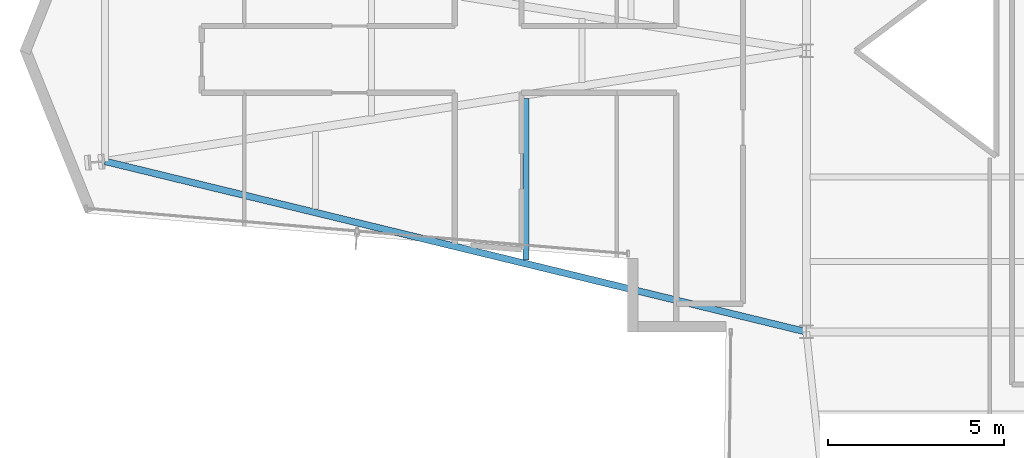
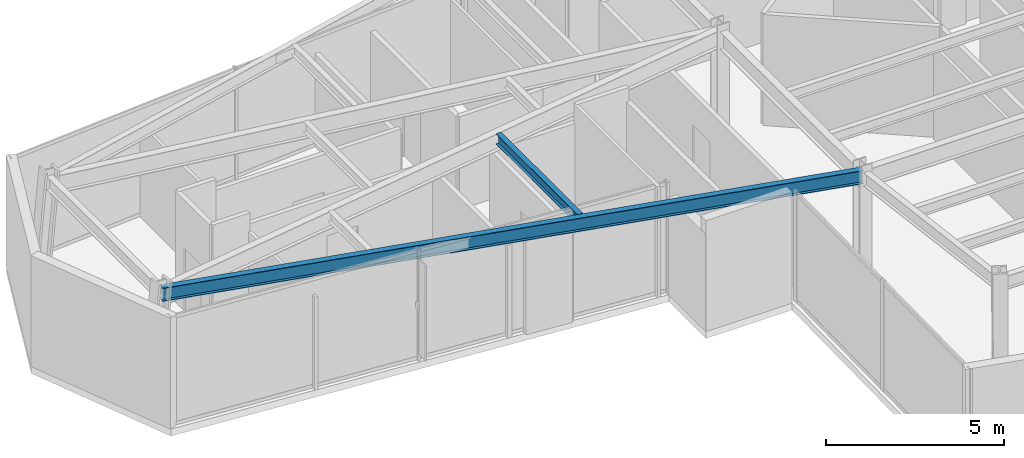
# One storey, part 3 of 25: 2 beams.
"""IFC4 building model written with IfcOpenShell, lengths in metres."""

from ifc_helpers import new_model, si_unit, direction, frame, origin, origin_2d, place, context, subcontext, project, spatial, i_section, extrude, material, material_profile, profile_set, type_object, element, save


model = new_model("IFC4")

# Units and contexts
model_context = context("Model", 3, precision=1e-05, world=origin(), true_north=direction((0.0, 1.0)))
body_context = subcontext(model_context, "Body", "Model", "MODEL_VIEW")
ifc_project = project(units=[si_unit("LENGTHUNIT", "METRE"), si_unit("AREAUNIT", "SQUARE_METRE"), si_unit("VOLUMEUNIT", "CUBIC_METRE"), si_unit("PLANEANGLEUNIT", "RADIAN"), si_unit("MASSUNIT", "GRAM", prefix="KILO")], contexts=[model_context])

# Site, building, storey
site_placement = place(None, origin())
site = spatial("IfcSite", under=ifc_project, at=site_placement, CompositionType="ELEMENT")
building_placement = place(site_placement, origin())
building = spatial("IfcBuilding", under=site, at=building_placement, Name="Veymaron Broadcast Tower", CompositionType="ELEMENT")
storey_placement = place(building_placement, frame((0.0, 0.0, 137.10009765625)))
storey = spatial("IfcBuildingStorey", under=building, at=storey_placement, Name="L31", CompositionType="ELEMENT", Elevation=137.10009765625)

# Beams
ifc_material = material(Name="Structural steel ASTM A992 Gr 50", Category="steel")
ifc_material_profile_1 = material_profile(ifc_material, i_section(OverallWidth=0.1708984375, OverallDepth=0.35498046875, WebThickness=0.007080078125, FlangeThickness=0.01171875, at=origin_2d()), Name="W360X51")
ifc_profile_set_1 = profile_set([ifc_material_profile_1], Name="Structural steel ASTM A992 Gr 50")
beam_type_1 = type_object("IfcBeamType", Name="BM-JS2", PredefinedType="JOIST", material=ifc_profile_set_1)
beam_1_placement = place(storey_placement, frame((23.219970703125, 18.0400390625, 3.63232421875), z_axis=(0.0, 1.0, 0.0), x_axis=(-1.0, 0.0, 0.0)))
element("IfcBeam", 1, at=beam_1_placement, inside=storey, type_object=beam_type_1, Name="L31 Arm-A secondary joist 2S", PredefinedType="JOIST", context=body_context, shape_type="SweptSolid", body=[
    extrude(i_section(OverallWidth=0.1708984375, OverallDepth=0.35498046875, WebThickness=0.007080078125, FlangeThickness=0.01171875, at=origin_2d()), origin(), (0.0, 0.0, 1.0), 4.599853515625),
])
ifc_material_profile_2 = material_profile(ifc_material, i_section(OverallWidth=0.19091796875, OverallDepth=0.4599609375, WebThickness=0.010009765625, FlangeThickness=0.01611328125, at=origin_2d()), Name="W460X82")
ifc_profile_set_2 = profile_set([ifc_material_profile_2], Name="Structural steel ASTM A992 Gr 50")
beam_type_2 = type_object("IfcBeamType", Name="BM-SP1", PredefinedType="SPANDREL", material=ifc_profile_set_2)
beam_2_placement = place(storey_placement, frame((11.25, 20.85009765625, 3.579833984375), z_axis=(0.971696602386, -0.236232328251, 0.0), x_axis=(0.236232328251, 0.971696602386, 0.0)))
element("IfcBeam", 2, at=beam_2_placement, inside=storey, type_object=beam_type_2, Name="L31 primary structural floor girder", PredefinedType="SPANDREL", context=body_context, shape_type="SweptSolid", body=[
    extrude(i_section(OverallWidth=0.19091796875, OverallDepth=0.4599609375, WebThickness=0.010009765625, FlangeThickness=0.01611328125, at=origin_2d()), origin(), (0.0, 0.0, 1.0), 20.531005859375),
])

save(model, "model.ifc")
